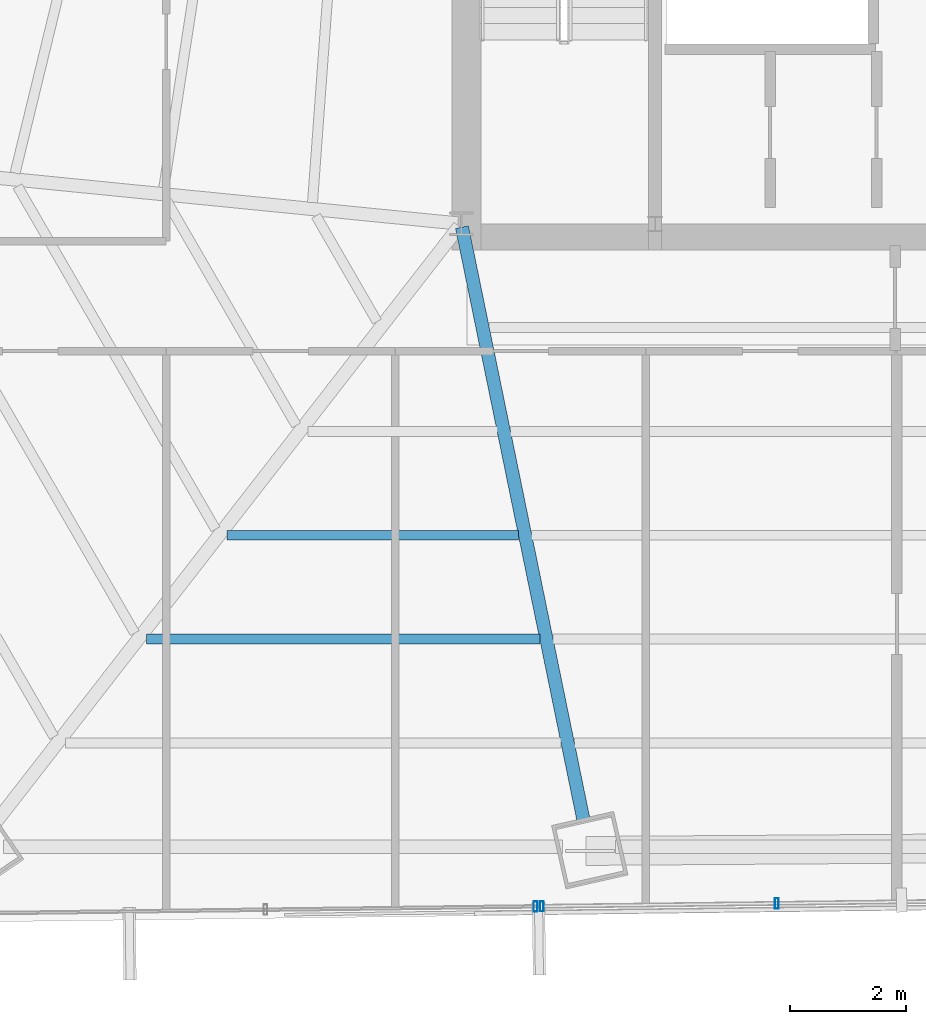
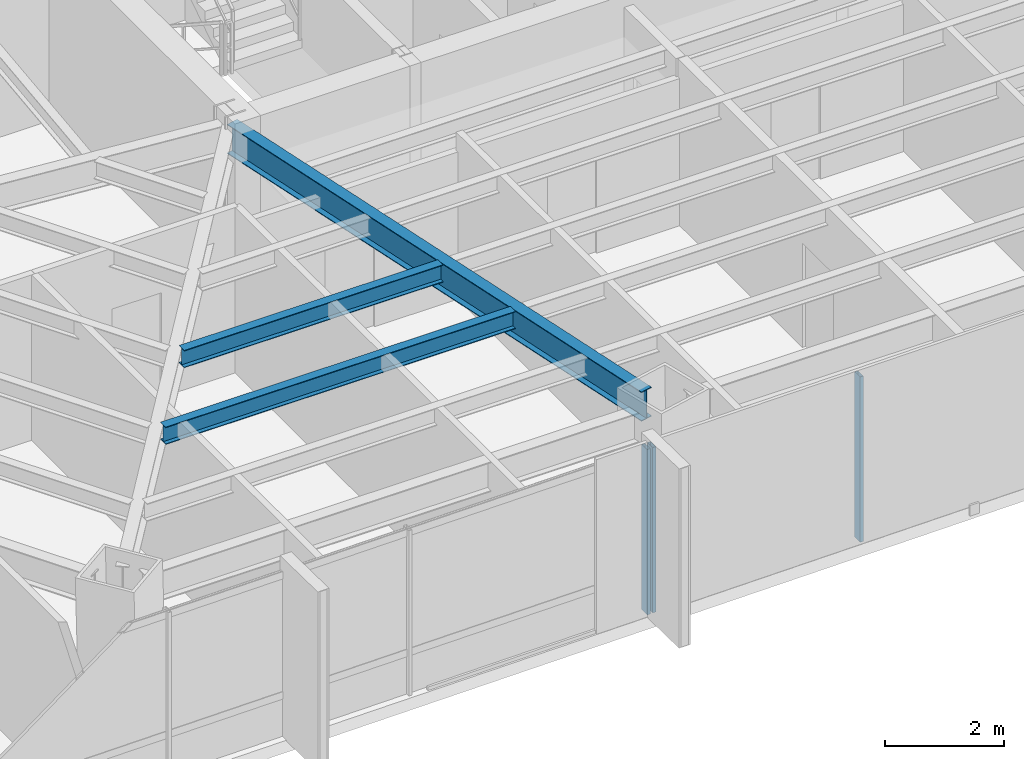
# One storey, part 9 of 37: 3 beams, 3 members, 2 elements without a shape of their own.
"""IFC4 building model written with IfcOpenShell, lengths in metres."""

from ifc_helpers import new_model, si_unit, direction, frame, origin, origin_2d, place, context, subcontext, project, spatial, hollow_rectangle, i_section, extrude, source, transform, mapped, material, material_profile, profile_set, type_object, type_shapes, element, aggregate, save


model = new_model("IFC4")

# Units and contexts
model_context = context("Model", 3, precision=1e-05, world=origin(), true_north=direction((0.0, 1.0)))
body_context = subcontext(model_context, "Body", "Model", "MODEL_VIEW")
ifc_project = project(units=[si_unit("LENGTHUNIT", "METRE"), si_unit("AREAUNIT", "SQUARE_METRE"), si_unit("VOLUMEUNIT", "CUBIC_METRE"), si_unit("PLANEANGLEUNIT", "RADIAN"), si_unit("MASSUNIT", "GRAM", prefix="KILO")], contexts=[model_context])

# Site, building, storey
site_placement = place(None, origin())
site = spatial("IfcSite", under=ifc_project, at=site_placement, CompositionType="ELEMENT")
building_placement = place(site_placement, origin())
building = spatial("IfcBuilding", under=site, at=building_placement, Name="Caelisora Broadcast Tower", CompositionType="ELEMENT")
storey_placement = place(building_placement, frame((0.0, 0.0, 116.35009765625)))
storey = spatial("IfcBuildingStorey", under=building, at=storey_placement, Name="L30", CompositionType="ELEMENT", Elevation=116.35009765625)

# Beams
ifc_material_1 = material(Name="Steel Grade 350 (AS/NZS 3679.1)", Category="steel")
ifc_material_profile_1 = material_profile(ifc_material_1, i_section(OverallWidth=0.22802734375, OverallDepth=0.602294921875, WebThickness=0.010498046875, FlangeThickness=0.014892578125, at=origin_2d()), Name="Steel Grade 350 (AS/NZS 3679.1)")
ifc_profile_set_1 = profile_set([ifc_material_profile_1], Name="Steel Grade 350 (AS/NZS 3679.1)")
beam_type_1 = type_object("IfcBeamType", Name="PG04", PredefinedType="BEAM", material=ifc_profile_set_1)
shared_shape_1 = source(origin(), body_context, "Body", "SweptSolid", [
    extrude(i_section(OverallWidth=0.22802734375, OverallDepth=0.602294921875, WebThickness=0.010498046875, FlangeThickness=0.014892578125, at=origin_2d()), origin(), (0.0, 0.0, 1.0), 10.513916015625),
])
type_shapes(beam_type_1, [shared_shape_1])
beam_1_placement = place(storey_placement, frame((30.511962890625, 17.34130859375, 3.098876953125), z_axis=(0.200811586791, -0.979629882461, 0.0), x_axis=(0.979629882461, 0.200811586791, 0.0)))
element("IfcBeam", 1, at=beam_1_placement, inside=storey, type_object=beam_type_1, Name="L30 beam PG04", PredefinedType="BEAM", context=body_context, shape_type="MappedRepresentation", body=[
    mapped(shared_shape_1, transform((0.0, 0.0, 0.0), scale=1.0)),
])
ifc_material_profile_2 = material_profile(ifc_material_1, i_section(OverallWidth=0.172119140625, OverallDepth=0.358642578125, WebThickness=0.008056640625, FlangeThickness=0.012939453125, at=origin_2d()), Name="Steel Grade 350 (AS/NZS 3679.1)")
ifc_profile_set_2 = profile_set([ifc_material_profile_2], Name="Steel Grade 350 (AS/NZS 3679.1)")
beam_type_2 = type_object("IfcBeamType", Name="SB02", PredefinedType="JOIST", material=ifc_profile_set_2)
shared_shape_2 = source(origin(), body_context, "Body", "SweptSolid", [
    extrude(i_section(OverallWidth=0.172119140625, OverallDepth=0.358642578125, WebThickness=0.008056640625, FlangeThickness=0.012939453125, at=origin_2d()), origin(), (0.0, 0.0, 1.0), 5.03759765625),
])
beam_2_placement = place(storey_placement, frame((26.452880859375, 12.01513671875, 3.220703125), z_axis=(1.0, 0.0, 0.0), x_axis=(0.0, 1.0, 0.0)))
element("IfcBeam", 2, at=beam_2_placement, inside=storey, type_object=beam_type_2, Name="L30 beam SB02", PredefinedType="JOIST", context=body_context, shape_type="MappedRepresentation", body=[
    mapped(shared_shape_2, transform((0.0, 0.0, 0.0), scale=1.0)),
])
shared_shape_3 = source(origin(), body_context, "Body", "SweptSolid", [
    extrude(i_section(OverallWidth=0.172119140625, OverallDepth=0.358642578125, WebThickness=0.008056640625, FlangeThickness=0.012939453125, at=origin_2d()), origin(), (0.0, 0.0, 1.0), 6.801513671875),
])
type_shapes(beam_type_2, [shared_shape_2, shared_shape_3])
beam_3_placement = place(storey_placement, frame((25.056884765625, 10.22021484375, 3.220703125), z_axis=(1.0, 0.0, 0.0), x_axis=(0.0, 1.0, 0.0)))
element("IfcBeam", 3, at=beam_3_placement, inside=storey, type_object=beam_type_2, Name="L30 beam SB02", PredefinedType="JOIST", context=body_context, shape_type="MappedRepresentation", body=[
    mapped(shared_shape_3, transform((0.0, 0.0, 0.0), scale=1.0)),
])

# Curtain wall, members
ifc_material_2 = material(Name="Unitised Aluminium Insulated Shadow-Box Spandrel Curtain Wall", Category="aluminium")
curtain_wall_type_1 = type_object("IfcCurtainWallType", Name="CW-SP1", PredefinedType="NOTDEFINED", material=ifc_material_2)
curtain_wall_1_placement = place(storey_placement, origin())
curtain_wall_1 = element("IfcCurtainWall", 4, at=curtain_wall_1_placement, inside=storey, type_object=curtain_wall_type_1, Name="L30 curtain wall CW-SP1", PredefinedType="NOTDEFINED")
ifc_material_3 = material(Name="Aluminium 6063-T6 Anodised Terracotta Bronze", Category="aluminium")
ifc_material_profile_3 = material_profile(ifc_material_3, hollow_rectangle(XDim=0.06494140625, YDim=0.179931640625, WallThickness=0.00341796875, at=origin_2d()), Name="Aluminium 6063-T6 Anodised Terracotta Bronze")
ifc_profile_set_3 = profile_set([ifc_material_profile_3], Name="Aluminium 6063-T6 Anodised Terracotta Bronze")
member_type = type_object("IfcMemberType", Name="CWM-02", PredefinedType="MULLION", material=ifc_profile_set_3)
shared_shape_4 = source(origin(), body_context, "Body", "SweptSolid", [
    extrude(hollow_rectangle(XDim=0.06494140625, YDim=0.179931640625, WallThickness=0.00341796875, at=origin_2d()), origin(), (0.0, 0.0, 1.0), 3.39990234375),
])
type_shapes(member_type, [shared_shape_4])
member_1_placement = place(storey_placement, frame((35.9541015625, 5.6513671875, 0.0), z_axis=(0.0, 0.0, 1.0), x_axis=(1.0, 0.0, 0.0)))
member_1 = element("IfcMember", 5, at=member_1_placement, type_object=member_type, Name="L30-CW-B06 mullion #2", PredefinedType="MULLION", context=body_context, shape_type="MappedRepresentation", body=[
    mapped(shared_shape_4, transform((0.0, 0.0, 0.0), scale=1.0)),
])
member_2_placement = place(storey_placement, frame((31.890869140625, 5.60107421875, 0.0), z_axis=(0.0, 0.0, 1.0), x_axis=(1.0, 0.0, 0.0)))
member_2 = element("IfcMember", 6, at=member_2_placement, type_object=member_type, Name="L30-CW-B06 mullion #3", PredefinedType="MULLION", context=body_context, shape_type="MappedRepresentation", body=[
    mapped(shared_shape_4, transform((0.0, 0.0, 0.0), scale=1.0)),
])
aggregate(curtain_wall_1, [member_1, member_2])

# Curtain wall, member
ifc_material_4 = material(Name="Unitised Aluminium and Low-E Glass Curtain Wall", Category="glass")
curtain_wall_type_2 = type_object("IfcCurtainWallType", Name="CW-Z2", PredefinedType="NOTDEFINED", material=ifc_material_4)
curtain_wall_2_placement = place(storey_placement, origin())
curtain_wall_2 = element("IfcCurtainWall", 7, at=curtain_wall_2_placement, inside=storey, type_object=curtain_wall_type_2, Name="L30 curtain wall CW-Z2", PredefinedType="NOTDEFINED")
member_3_placement = place(storey_placement, frame((31.781005859375, 5.599609375, 0.0), z_axis=(0.0, 0.0, 1.0), x_axis=(1.0, 0.0, 0.0)))
member_3 = element("IfcMember", 8, at=member_3_placement, type_object=member_type, Name="L30-CW-B07 mullion #0", PredefinedType="MULLION", context=body_context, shape_type="MappedRepresentation", body=[
    mapped(shared_shape_4, transform((0.0, 0.0, 0.0), scale=1.0)),
])
aggregate(curtain_wall_2, [member_3])

save(model, "model.ifc")
